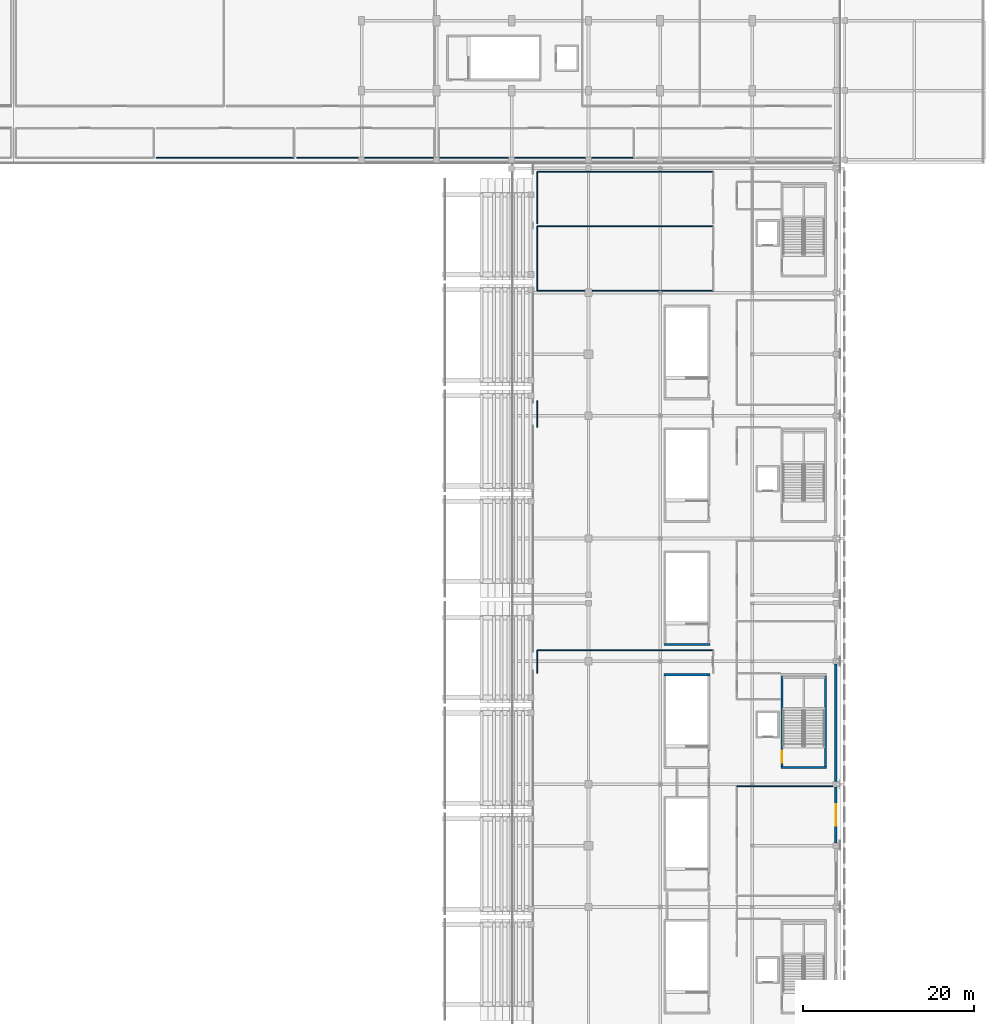
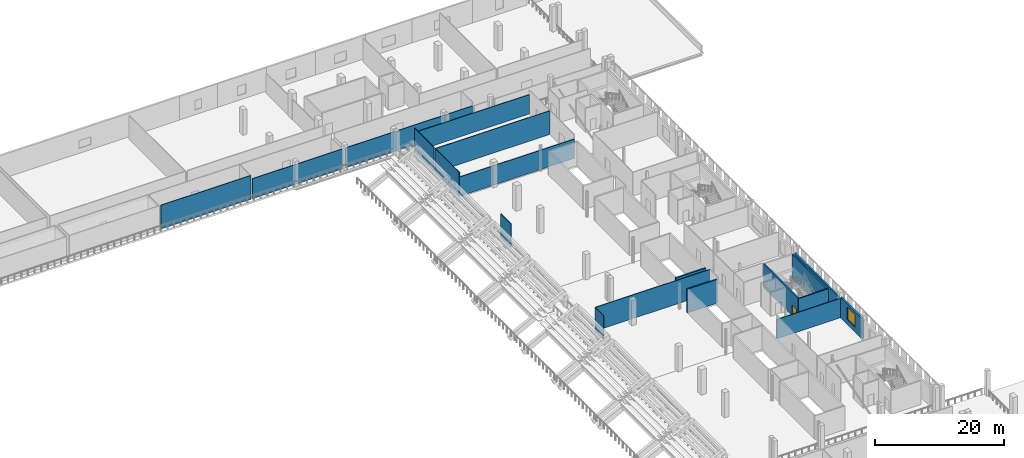
# One storey, part 38 of 74: 19 walls, 1 door, 1 window, 2 openings.
"""IFC4 building model written with IfcOpenShell, lengths in metres."""

from ifc_helpers import new_model, si_unit, direction, frame, frame_2d, origin, place, context, subcontext, project, spatial, rectangle, extrude, material, layer, layer_set, type_object, element, fill, save


model = new_model("IFC4")

# Units and contexts
model_context = context("Model", 3, precision=1e-05, world=origin(), true_north=direction((0.0, 1.0)))
body_context = subcontext(model_context, "Body", "Model", "MODEL_VIEW")
ifc_project = project(units=[si_unit("LENGTHUNIT", "METRE"), si_unit("AREAUNIT", "SQUARE_METRE"), si_unit("VOLUMEUNIT", "CUBIC_METRE"), si_unit("PLANEANGLEUNIT", "RADIAN"), si_unit("MASSUNIT", "GRAM", prefix="KILO")], contexts=[model_context])

# Site, building, storey
site_placement = place(None, origin())
site = spatial("IfcSite", under=ifc_project, at=site_placement, CompositionType="ELEMENT")
building_placement = place(site_placement, origin())
building = spatial("IfcBuilding", under=site, at=building_placement, Name="Koshinbarg Plaza Stadium", CompositionType="ELEMENT")
storey_placement = place(building_placement, frame((0.0, 0.0, 15.0)))
storey = spatial("IfcBuildingStorey", under=building, at=storey_placement, Name="L03", CompositionType="ELEMENT", Elevation=15.0)

# Wall
ifc_material_1 = material(Name="Concrete C40/50", Category="concrete")
ifc_layer_1 = layer(ifc_material_1, 0.25)
ifc_layer_set_1 = layer_set([ifc_layer_1], Name="Concrete C40/50")
wall_type_1 = type_object("IfcWallType", Name="WL-CORE-250", PredefinedType="SHEAR", material=ifc_layer_set_1)
wall_1_placement = place(storey_placement, frame((211.949951171875, 56.27490234375, 0.0), z_axis=(0.0, 0.0, 1.0), x_axis=(1.0, 0.0, 0.0)))
element("IfcWall", 1, at=wall_1_placement, inside=storey, type_object=wall_type_1, Name="L03 core stair shear wall C08-near IWL-L03-0198", PredefinedType="SHEAR", context=body_context, shape_type="SweptSolid", body=[
    extrude(rectangle(XDim=5.3701171875, YDim=0.25, at=frame_2d((2.68505859375, 0.0))), origin(), (0.0, 0.0, 1.0), 4.5),
])

# Wall, opening, door
wall_2_placement = place(storey_placement, frame((212.074951171875, 56.27490234375, 0.0), z_axis=(0.0, 0.0, 1.0), x_axis=(0.0, 1.0, 0.0)))
wall_2 = element("IfcWall", 2, at=wall_2_placement, inside=storey, type_object=wall_type_1, Name="L03 core stair shear wall C08-left IWL-L03-0200", PredefinedType="SHEAR", context=body_context, shape_type="SweptSolid", body=[
    extrude(rectangle(XDim=10.85009765625, YDim=0.25, at=frame_2d((5.425048828125, 0.0))), origin(), (0.0, 0.0, 1.0), 4.5),
])
opening_1_placement = place(wall_2_placement, frame((0.52001953125, 0.0, 0.0)))
opening_1 = element("IfcOpeningElement", 3, at=opening_1_placement, cuts=wall_2, Name="Opening D-0112", PredefinedType="OPENING", context=body_context, shape_type="SweptSolid", body=[
    extrude(rectangle(XDim=1.39990234375, YDim=2.14990234375, at=frame_2d((0.699951171875, 1.074951171875))), frame((0.0, 0.135009765625, 0.0), z_axis=(0.0, -1.0, 0.0), x_axis=(1.0, 0.0, 0.0)), (0.0, 0.0, 1.0), 0.27001953125),
])
ifc_material_2 = material(Name="Painted galvanized steel fire door", Category="steel")
door_type = type_object("IfcDoorType", Name="DR-STAIR-1400", OperationType="NOTDEFINED", PredefinedType="DOOR", material=ifc_material_2)
door_placement = place(opening_1_placement, frame((1.39990234375, 0.0, 0.0), z_axis=(0.0, 0.0, 1.0), x_axis=(-1.0, 0.0, 0.0)))
door = element("IfcDoor", 4, at=door_placement, inside=storey, type_object=door_type, Name="L03 exit stair door C08", OperationType="SINGLE_SWING_RIGHT", OverallHeight=2.14990234375, OverallWidth=1.39990234375, PredefinedType="DOOR", context=body_context, shape_type="SweptSolid", body=[
    extrude(rectangle(XDim=1.39990234375, YDim=2.14990234375, at=frame_2d((0.699951171875, 1.074951171875))), frame((0.0, 0.02490234375, 0.0), z_axis=(0.0, -1.0, 0.0), x_axis=(1.0, 0.0, 0.0)), (0.0, 0.0, 1.0), 0.050048828125),
])
fill(opening_1, door)

# Walls
wall_3_placement = place(storey_placement, frame((217.195068359375, 56.27490234375, 0.0), z_axis=(0.0, 0.0, 1.0), x_axis=(0.0, 1.0, 0.0)))
element("IfcWall", 5, at=wall_3_placement, inside=storey, type_object=wall_type_1, Name="L03 core stair shear wall C08-right IWL-L03-0201", PredefinedType="SHEAR", context=body_context, shape_type="SweptSolid", body=[
    extrude(rectangle(XDim=10.85009765625, YDim=0.25, at=frame_2d((5.425048828125, 0.0))), origin(), (0.0, 0.0, 1.0), 4.5),
])
for number, where, z_axis, x_axis, name in (
    (6, (203.6201171875, 67.125, 0.0), (0.0, 0.0, 1.0), (-1.0, 0.0, 0.0), "L03 vomitory stair shear wall VX09-far IWL-L03-0495"),
    (7, (198.25, 70.675048828125, 0.0), (0.0, 0.0, 1.0), (1.0, 0.0, 0.0), "L03 vomitory stair shear wall VX10-near IWL-L03-0510"),
):
    element("IfcWall", number, at=place(storey_placement, frame(where, z_axis=z_axis, x_axis=x_axis)), inside=storey, type_object=wall_type_1, Name=name, PredefinedType="SHEAR", context=body_context, shape_type="SweptSolid", body=[
        extrude(rectangle(XDim=5.3701171875, YDim=0.25, at=frame_2d((2.68505859375, 0.0))), origin(), (0.0, 0.0, 1.0), 4.5),
    ])
ifc_material_3 = material(Name="Off-white mineral plaster insulated wall", Category="masonry")
ifc_layer_2 = layer(ifc_material_3, 0.300048828125)
ifc_layer_set_2 = layer_set([ifc_layer_2], Name="Off-white mineral plaster insulated wall")
wall_type_2 = type_object("IfcWallType", Name="WL-EXT-300", PredefinedType="SOLIDWALL", material=ifc_layer_set_2)
wall_4_placement = place(storey_placement, frame((218.39990234375, 68.3798828125, 0.0), z_axis=(0.0, 0.0, 1.0), x_axis=(0.0, -1.0, 0.0)))
element("IfcWall", 8, at=wall_4_placement, inside=storey, type_object=wall_type_2, Name="L03 exterior envelope wall EWL-L03-0181", PredefinedType="SOLIDWALL", context=body_context, shape_type="SweptSolid", body=[
    extrude(rectangle(XDim=13.759765625, YDim=0.300048828125, at=frame_2d((6.8798828125, 0.0))), origin(), (0.0, 0.0, 1.0), 3.580078125),
])

# Wall, opening, window
ifc_material_4 = material(Name="Ultramarine-blue pigmented mineral plaster facade wall", Category="masonry")
ifc_layer_3 = layer(ifc_material_4, 0.320068359375)
ifc_layer_set_3 = layer_set([ifc_layer_3], Name="Ultramarine-blue pigmented mineral plaster facade wall")
wall_type_3 = type_object("IfcWallType", Name="WL-EXT-320", PredefinedType="SOLIDWALL", material=ifc_layer_set_3)
wall_5_placement = place(storey_placement, frame((218.39990234375, 53.97998046875, 0.0), z_axis=(0.0, 0.0, 1.0), x_axis=(0.0, -1.0, 0.0)))
wall_5 = element("IfcWall", 9, at=wall_5_placement, inside=storey, type_object=wall_type_3, Name="L03 exterior envelope wall EWL-L03-0182", PredefinedType="SOLIDWALL", context=body_context, shape_type="SweptSolid", body=[
    extrude(rectangle(XDim=6.56005859375, YDim=0.320068359375, at=frame_2d((3.280029296875, 0.0))), origin(), (0.0, 0.0, 1.0), 3.8798828125),
])
opening_2_placement = place(wall_5_placement, frame((2.030029296875, 0.0, 0.89990234375)))
opening_2 = element("IfcOpeningElement", 10, at=opening_2_placement, cuts=wall_5, Name="Opening WN21", PredefinedType="OPENING", context=body_context, shape_type="SweptSolid", body=[
    extrude(rectangle(XDim=2.5, YDim=2.39990234375, at=frame_2d((1.25, 1.199951171875))), frame((0.0, 0.169921875, 0.0), z_axis=(0.0, -1.0, 0.0), x_axis=(1.0, 0.0, 0.0)), (0.0, 0.0, 1.0), 0.340087890625),
])
ifc_material_5 = material(Name="Solar-control double glazing in thermally broken aluminium frame", Category="aluminium")
window_type = type_object("IfcWindowType", Name="WN-FAC-21", PartitioningType="DOUBLE_PANEL_VERTICAL", PredefinedType="WINDOW", material=ifc_material_5)
window_placement = place(opening_2_placement, origin())
window = element("IfcWindow", 11, at=window_placement, inside=storey, type_object=window_type, Name="L03 facade window 0115", OverallHeight=2.39990234375, OverallWidth=2.5, PartitioningType="SINGLE_PANEL", PredefinedType="WINDOW", context=body_context, shape_type="SweptSolid", body=[
    extrude(rectangle(XDim=2.5, YDim=2.39990234375, at=frame_2d((1.25, 1.199951171875))), frame((0.0, 0.030029296875, 0.0), z_axis=(0.0, -1.0, 0.0), x_axis=(1.0, 0.0, 0.0)), (0.0, 0.0, 1.0), 0.06005859375),
])
fill(opening_2, window)

# Walls
ifc_material_6 = material(Name="Gypsum board metal-stud acoustic partition")
ifc_layer_4 = layer(ifc_material_6, 0.1201171875)
ifc_layer_set_4 = layer_set([ifc_layer_4], Name="Gypsum board metal-stud acoustic partition")
wall_type_4 = type_object("IfcWallType", Name="WL-PART-120", PredefinedType="PARTITIONING", material=ifc_layer_set_4)
wall_6_placement = place(storey_placement, frame((218.2548828125, 54.030029296875, 0.0), z_axis=(0.0, 0.0, 1.0), x_axis=(-1.0, 0.0, 0.0)))
element("IfcWall", 12, at=wall_6_placement, inside=storey, type_object=wall_type_4, Name="L03 interior partition L03-85-north IWL-L03-1971", PredefinedType="PARTITIONING", context=body_context, shape_type="SweptSolid", body=[
    extrude(rectangle(XDim=11.454833984375, YDim=0.1201171875, at=frame_2d((5.7275390625, 0.0))), origin(), (0.0, 0.0, 1.0), 3.679931640625),
])
wall_7_placement = place(storey_placement, frame((204.0, 69.97802734375, 0.0), z_axis=(0.0, 0.0, 1.0), x_axis=(-1.0, 0.0, 0.0)))
element("IfcWall", 13, at=wall_7_placement, inside=storey, type_object=wall_type_4, Name="L03 interior partition L03-86-north IWL-L03-1974", PredefinedType="PARTITIONING", context=body_context, shape_type="SweptSolid", body=[
    extrude(rectangle(XDim=20.60009765625, YDim=0.1201171875, at=frame_2d((10.300048828125, 0.0))), origin(), (0.0, 0.0, 1.0), 4.5),
])
wall_8_placement = place(storey_placement, frame((183.39990234375, 69.97802734375, 0.0), z_axis=(0.0, 0.0, 1.0), x_axis=(0.0, -1.0, 0.0)))
element("IfcWall", 14, at=wall_8_placement, inside=storey, type_object=wall_type_4, Name="L03 interior partition L03-86-west IWL-L03-1975", PredefinedType="PARTITIONING", context=body_context, shape_type="SweptSolid", body=[
    extrude(rectangle(XDim=2.64794921875, YDim=0.1201171875, at=frame_2d((1.323974609375, 0.0))), origin(), (0.0, 0.0, 1.0), 4.5),
])
wall_9_placement = place(storey_placement, frame((183.39990234375, 99.27001953125, 0.0), z_axis=(0.0, 0.0, 1.0), x_axis=(0.0, -1.0, 0.0)))
element("IfcWall", 15, at=wall_9_placement, inside=storey, type_object=wall_type_4, Name="L03 interior partition L03-90-west IWL-L03-1984", PredefinedType="PARTITIONING", context=body_context, shape_type="SweptSolid", body=[
    extrude(rectangle(XDim=3.14013671875, YDim=0.1201171875, at=frame_2d((1.570068359375, 0.0))), origin(), (0.0, 0.0, 1.0), 4.5),
])
wall_10_placement = place(storey_placement, frame((183.39990234375, 112.169921875, 0.0), z_axis=(0.0, 0.0, 1.0), x_axis=(1.0, 0.0, 0.0)))
element("IfcWall", 16, at=wall_10_placement, inside=storey, type_object=wall_type_4, Name="L03 interior partition L03-93-south IWL-L03-1990", PredefinedType="PARTITIONING", context=body_context, shape_type="SweptSolid", body=[
    extrude(rectangle(XDim=20.60009765625, YDim=0.1201171875, at=frame_2d((10.300048828125, 0.0))), origin(), (0.0, 0.0, 1.0), 3.679931640625),
])
wall_11_placement = place(storey_placement, frame((204.0, 119.69921875, 0.0), z_axis=(0.0, 0.0, 1.0), x_axis=(-1.0, 0.0, 0.0)))
element("IfcWall", 17, at=wall_11_placement, inside=storey, type_object=wall_type_4, Name="L03 interior partition L03-93-north IWL-L03-1992", PredefinedType="PARTITIONING", context=body_context, shape_type="SweptSolid", body=[
    extrude(rectangle(XDim=20.60009765625, YDim=0.1201171875, at=frame_2d((10.300048828125, 0.0))), origin(), (0.0, 0.0, 1.0), 4.5),
])
wall_12_placement = place(storey_placement, frame((183.39990234375, 119.69921875, 0.0), z_axis=(0.0, 0.0, 1.0), x_axis=(0.0, -1.0, 0.0)))
element("IfcWall", 18, at=wall_12_placement, inside=storey, type_object=wall_type_4, Name="L03 interior partition L03-93-west IWL-L03-1993", PredefinedType="PARTITIONING", context=body_context, shape_type="SweptSolid", body=[
    extrude(rectangle(XDim=7.529296875, YDim=0.1201171875, at=frame_2d((3.7646484375, 0.0))), origin(), (0.0, 0.0, 1.0), 4.5),
])
wall_13_placement = place(storey_placement, frame((204.0, 126.10498046875, 0.0), z_axis=(0.0, 0.0, 1.0), x_axis=(-1.0, 0.0, 0.0)))
element("IfcWall", 19, at=wall_13_placement, inside=storey, type_object=wall_type_4, Name="L03 interior partition L03-94-north IWL-L03-1995", PredefinedType="PARTITIONING", context=body_context, shape_type="SweptSolid", body=[
    extrude(rectangle(XDim=20.60009765625, YDim=0.1201171875, at=frame_2d((10.300048828125, 0.0))), origin(), (0.0, 0.0, 1.0), 3.679931640625),
])
wall_14_placement = place(storey_placement, frame((183.39990234375, 126.10498046875, 0.0), z_axis=(0.0, 0.0, 1.0), x_axis=(0.0, -1.0, 0.0)))
element("IfcWall", 20, at=wall_14_placement, inside=storey, type_object=wall_type_4, Name="L03 interior partition L03-94-west IWL-L03-1996", PredefinedType="PARTITIONING", context=body_context, shape_type="SweptSolid", body=[
    extrude(rectangle(XDim=6.105712890625, YDim=0.1201171875, at=frame_2d((3.052734375, 0.0))), origin(), (0.0, 0.0, 1.0), 4.5),
])
wall_15_placement = place(storey_placement, frame((138.723388671875, 127.7451171875, 0.0), z_axis=(0.0, 0.0, 1.0), x_axis=(1.0, 0.0, 0.0)))
element("IfcWall", 21, at=wall_15_placement, inside=storey, type_object=wall_type_4, Name="L03 interior partition L03-107-south IWL-L03-2031", PredefinedType="PARTITIONING", context=body_context, shape_type="SweptSolid", body=[
    extrude(rectangle(XDim=16.1533203125, YDim=0.1201171875, at=frame_2d((8.07666015625, 0.0))), origin(), (0.0, 0.0, 1.0), 4.5),
])
wall_16_placement = place(storey_placement, frame((155.1767578125, 127.7451171875, 0.0), z_axis=(0.0, 0.0, 1.0), x_axis=(1.0, 0.0, 0.0)))
element("IfcWall", 22, at=wall_16_placement, inside=storey, type_object=wall_type_4, Name="L03 interior partition L03-108-south IWL-L03-2034", PredefinedType="PARTITIONING", context=body_context, shape_type="SweptSolid", body=[
    extrude(rectangle(XDim=16.1533203125, YDim=0.1201171875, at=frame_2d((8.07666015625, 0.0))), origin(), (0.0, 0.0, 1.0), 3.780029296875),
])
wall_17_placement = place(storey_placement, frame((171.8701171875, 127.7451171875, 0.0), z_axis=(0.0, 0.0, 1.0), x_axis=(1.0, 0.0, 0.0)))
element("IfcWall", 23, at=wall_17_placement, inside=storey, type_object=wall_type_4, Name="L03 interior partition L03-111-south IWL-L03-2042", PredefinedType="PARTITIONING", context=body_context, shape_type="SweptSolid", body=[
    extrude(rectangle(XDim=22.83984375, YDim=0.1201171875, at=frame_2d((11.419921875, 0.0))), origin(), (0.0, 0.0, 1.0), 3.780029296875),
])

save(model, "model.ifc")
